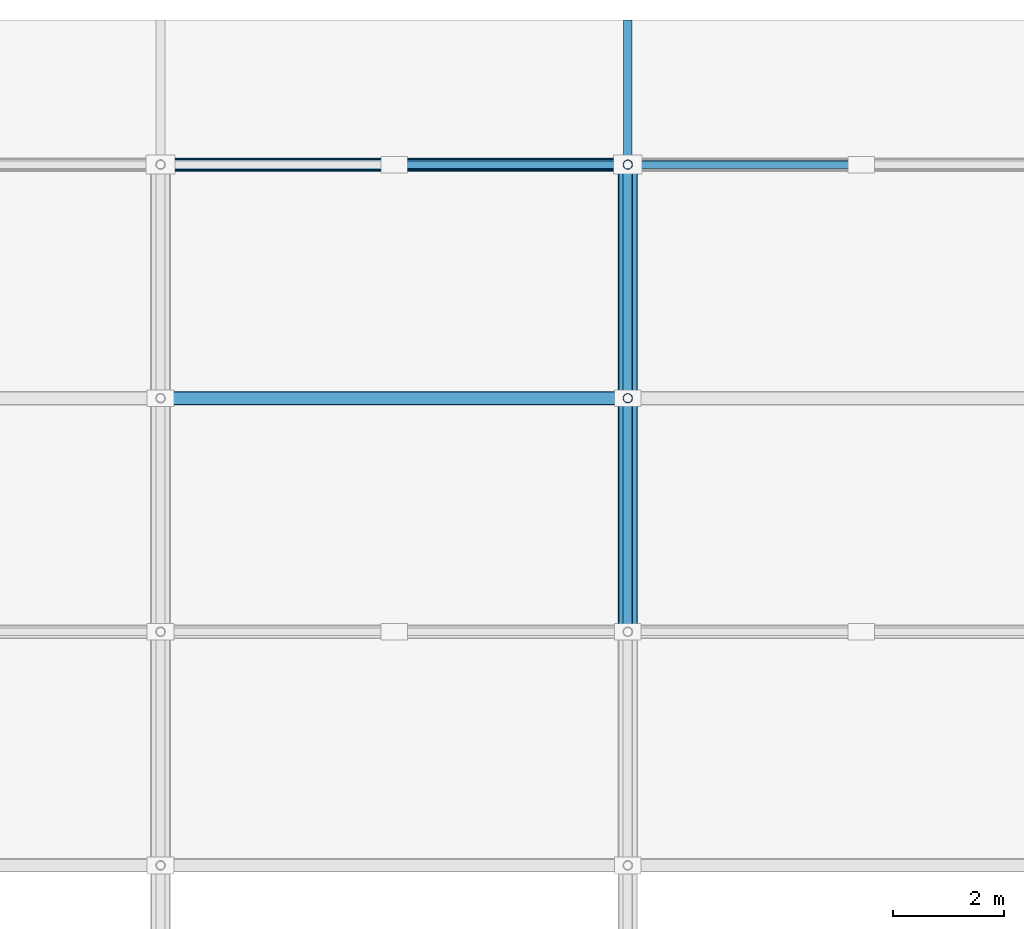
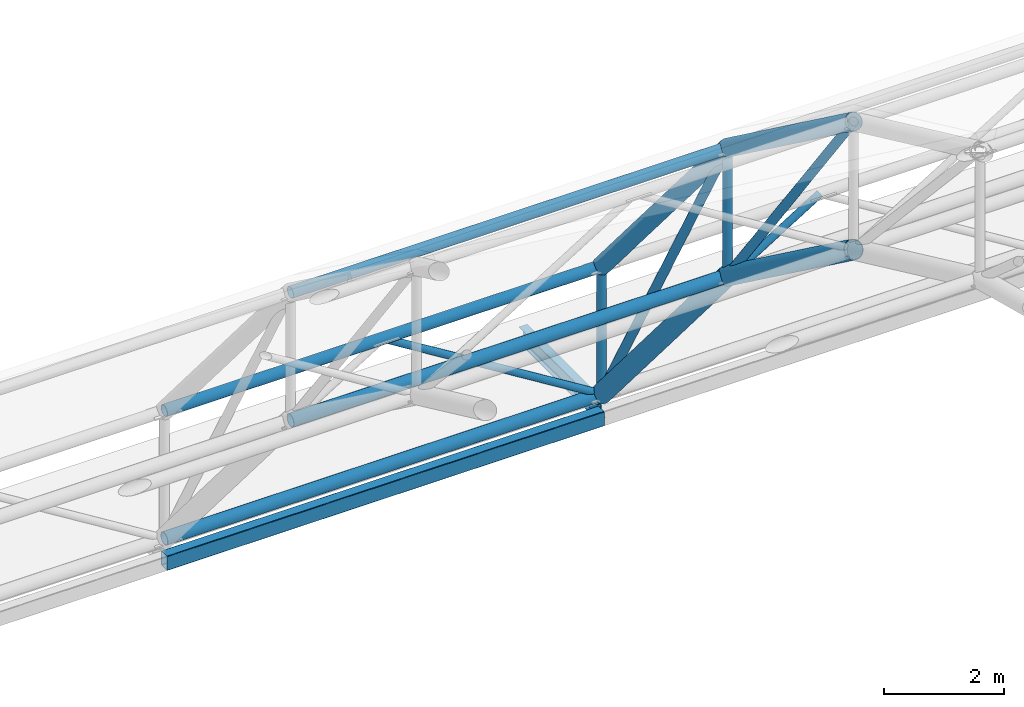
# One storey, part 43 of 103: 10 members, 6 beams.
"""IFC4 building model written with IfcOpenShell, lengths in metres."""

from ifc_helpers import new_model, si_unit, direction, frame, origin, origin_2d, place, context, subcontext, project, spatial, hollow_rectangle, hollow_circle, i_section, extrude, material, material_profile, profile_set, type_object, element, save


model = new_model("IFC4")

# Units and contexts
model_context = context("Model", 3, precision=1e-05, world=origin(), true_north=direction((0.0, 1.0)))
body_context = subcontext(model_context, "Body", "Model", "MODEL_VIEW")
ifc_project = project(units=[si_unit("LENGTHUNIT", "METRE"), si_unit("AREAUNIT", "SQUARE_METRE"), si_unit("VOLUMEUNIT", "CUBIC_METRE"), si_unit("PLANEANGLEUNIT", "RADIAN"), si_unit("MASSUNIT", "GRAM", prefix="KILO")], contexts=[model_context])

# Site, building, storey
site_placement = place(None, origin())
site = spatial("IfcSite", under=ifc_project, at=site_placement, CompositionType="ELEMENT")
building_placement = place(site_placement, origin())
building = spatial("IfcBuilding", under=site, at=building_placement, Name="Varnapada Polytechnic", CompositionType="ELEMENT")
storey_placement = place(building_placement, frame((0.0, 0.0, 18.0)))
storey = spatial("IfcBuildingStorey", under=building, at=storey_placement, Name="L04", CompositionType="ELEMENT", Elevation=18.0)

# Beam
ifc_material = material(Name="Steel S355", Category="steel")
ifc_material_profile_1 = material_profile(ifc_material, i_section(OverallWidth=0.159912109375, OverallDepth=0.330078125, WebThickness=0.007568359375, FlangeThickness=0.011474609375, FilletRadius=0.01806640625, at=origin_2d()), Name="IPE 330")
ifc_profile_set_1 = profile_set([ifc_material_profile_1], Name="Steel S355")
beam_type_1 = type_object("IfcBeamType", Name="Clerestory monitor steel rafter SB-07 (IPE 330)", PredefinedType="BEAM", material=ifc_profile_set_1)
beam_1_placement = place(storey_placement, frame((92.39990234375, 126.0, -0.35009765625), z_axis=(0.0, 1.0, 0.0), x_axis=(-1.0, 0.0, 0.0)))
element("IfcBeam", 1, at=beam_1_placement, inside=storey, type_object=beam_type_1, Name="Workshop eave shade outlooker N.6", PredefinedType="BEAM", context=body_context, shape_type="SweptSolid", body=[
    extrude(i_section(OverallWidth=0.159912109375, OverallDepth=0.330078125, WebThickness=0.007568359375, FlangeThickness=0.011474609375, FilletRadius=0.01806640625, at=origin_2d()), origin(), (0.0, 0.0, 1.0), 2.60009765625),
])

# Members
ifc_material_profile_2 = material_profile(ifc_material, hollow_circle(Radius=0.122314453125, WallThickness=0.008056640625, at=origin_2d()), Name="CHS 244.5x8.0")
ifc_profile_set_2 = profile_set([ifc_material_profile_2], Name="Steel S355")
member_type_1 = type_object("IfcMemberType", Name="Vaulted space frame longitudinal bottom chord SFC-01 (CHS 244.5x8.0)", PredefinedType="CHORD", material=ifc_profile_set_2)
for number, where, z_axis, x_axis, name in (
    (2, (84.0, 121.800048828125, 4.94921875), (1.0, 0.0, 0.0), (0.0, 1.0, 0.0), "Vaulted space frame longitudinal bottom chord 5.10"),
    (3, (84.0, 126.0, 0.0), (1.0, 0.0, 0.0), (0.0, 1.0, 0.0), "Vaulted space frame longitudinal bottom chord 5.11"),
):
    element("IfcMember", number, at=place(storey_placement, frame(where, z_axis=z_axis, x_axis=x_axis)), inside=storey, type_object=member_type_1, Name=name, PredefinedType="CHORD", context=body_context, shape_type="SweptSolid", body=[
        extrude(hollow_circle(Radius=0.122314453125, WallThickness=0.008056640625, at=origin_2d()), origin(), (0.0, 0.0, 1.0), 8.39990234375),
    ])
ifc_material_profile_3 = material_profile(ifc_material, hollow_circle(Radius=0.109619140625, WallThickness=0.008056640625, at=origin_2d()), Name="CHS 219.1x8.0")
ifc_profile_set_3 = profile_set([ifc_material_profile_3], Name="Steel S355")
member_type_2 = type_object("IfcMemberType", Name="Vaulted space frame longitudinal top chord SFC-02 (CHS 219.1x8.0)", PredefinedType="CHORD", material=ifc_profile_set_3)
for number, where, z_axis, x_axis, name in (
    (4, (84.0, 121.800048828125, 7.549072265625), (1.0, 0.0, 0.0), (0.0, 1.0, 0.0), "Vaulted space frame longitudinal top chord 5.10"),
    (5, (84.0, 126.0, 2.60009765625), (1.0, 0.0, 0.0), (0.0, 1.0, 0.0), "Vaulted space frame longitudinal top chord 5.11"),
):
    element("IfcMember", number, at=place(storey_placement, frame(where, z_axis=z_axis, x_axis=x_axis)), inside=storey, type_object=member_type_2, Name=name, PredefinedType="CHORD", context=body_context, shape_type="SweptSolid", body=[
        extrude(hollow_circle(Radius=0.109619140625, WallThickness=0.008056640625, at=origin_2d()), origin(), (0.0, 0.0, 1.0), 8.39990234375),
    ])

# Beams
ifc_material_profile_4 = material_profile(ifc_material, hollow_circle(Radius=0.177734375, WallThickness=0.012451171875, at=origin_2d()), Name="CHS 355.6x12.5")
ifc_profile_set_4 = profile_set([ifc_material_profile_4], Name="Steel S355")
beam_type_2 = type_object("IfcBeamType", Name="Vaulted space frame primary arch rib VA-01 (CHS 355.6x12.5)", PredefinedType="BEAM", material=ifc_profile_set_4)
beam_2_placement = place(storey_placement, frame((92.39990234375, 117.60009765625, 8.02783203125), z_axis=(0.0, 0.806528689778, -0.591194953095), x_axis=(-1.0, 0.0, 0.0)))
element("IfcBeam", 6, at=beam_2_placement, inside=storey, type_object=beam_type_2, Name="Vaulted space frame bottom arch chord 6.9", PredefinedType="BEAM", context=body_context, shape_type="SweptSolid", body=[
    extrude(hollow_circle(Radius=0.177734375, WallThickness=0.012451171875, at=origin_2d()), origin(), (0.0, 0.0, 1.0), 5.20751953125),
])
beam_3_placement = place(storey_placement, frame((92.39990234375, 121.800048828125, 4.94921875), z_axis=(0.0, 0.647032448214, -0.762462465279), x_axis=(-1.0, 0.0, 0.0)))
element("IfcBeam", 7, at=beam_3_placement, inside=storey, type_object=beam_type_2, Name="Vaulted space frame bottom arch chord 6.10", PredefinedType="BEAM", context=body_context, shape_type="SweptSolid", body=[
    extrude(hollow_circle(Radius=0.177734375, WallThickness=0.012451171875, at=origin_2d()), origin(), (0.0, 0.0, 1.0), 6.4912109375),
])

# Members
ifc_material_profile_5 = material_profile(ifc_material, hollow_circle(Radius=0.084228515625, WallThickness=0.00634765625, at=origin_2d()), Name="CHS 168.3x6.3")
ifc_profile_set_5 = profile_set([ifc_material_profile_5], Name="Steel S355")
member_type_3 = type_object("IfcMemberType", Name="Vaulted space frame primary web diagonal SFB-01 (CHS 168.3x6.3)", PredefinedType="BRACE", material=ifc_profile_set_5)
member_1_placement = place(storey_placement, frame((92.39990234375, 117.60009765625, 10.6279296875), z_axis=(0.0, 0.594633036041, -0.803997234105), x_axis=(-1.0, 0.0, 0.0)))
element("IfcMember", 8, at=member_1_placement, inside=storey, type_object=member_type_3, Name="Vaulted space frame web diagonal 6.9", PredefinedType="BRACE", context=body_context, shape_type="SweptSolid", body=[
    extrude(hollow_circle(Radius=0.084228515625, WallThickness=0.00634765625, at=origin_2d()), origin(), (0.0, 0.0, 1.0), 7.06298828125),
])
member_2_placement = place(storey_placement, frame((92.39990234375, 121.800048828125, 7.549072265625), z_axis=(0.0, 0.486175535898, -0.873861172209), x_axis=(-1.0, 0.0, 0.0)))
element("IfcMember", 9, at=member_2_placement, inside=storey, type_object=member_type_3, Name="Vaulted space frame web diagonal 6.10", PredefinedType="BRACE", context=body_context, shape_type="SweptSolid", body=[
    extrude(hollow_circle(Radius=0.084228515625, WallThickness=0.00634765625, at=origin_2d()), origin(), (0.0, 0.0, 1.0), 8.638671875),
])
ifc_material_profile_6 = material_profile(ifc_material, hollow_circle(Radius=0.084228515625, WallThickness=0.00634765625, at=origin_2d()), Name="CHS 168.3x6.3")
ifc_profile_set_6 = profile_set([ifc_material_profile_6], Name="Steel S355")
member_type_4 = type_object("IfcMemberType", Name="Vaulted space frame radial web strut SFS-01 (CHS 168.3x6.3)", PredefinedType="STRUT", material=ifc_profile_set_6)
member_3_placement = place(storey_placement, frame((92.39990234375, 121.800048828125, 4.94921875), z_axis=(0.0, 0.0, 1.0), x_axis=(1.0, 0.0, 0.0)))
element("IfcMember", 10, at=member_3_placement, inside=storey, type_object=member_type_4, Name="Vaulted space frame strut 6.10", PredefinedType="STRUT", context=body_context, shape_type="SweptSolid", body=[
    extrude(hollow_circle(Radius=0.084228515625, WallThickness=0.00634765625, at=origin_2d()), origin(), (0.0, 0.0, 1.0), 2.599853515625),
])
member_4_placement = place(storey_placement, frame((92.39990234375, 126.0, 0.0), z_axis=(0.0, 0.0, 1.0), x_axis=(1.0, 0.0, 0.0)))
element("IfcMember", 11, at=member_4_placement, inside=storey, type_object=member_type_4, Name="Vaulted space frame strut 6.11", PredefinedType="STRUT", context=body_context, shape_type="SweptSolid", body=[
    extrude(hollow_circle(Radius=0.084228515625, WallThickness=0.00634765625, at=origin_2d()), origin(), (0.0, 0.0, 1.0), 2.60009765625),
])
ifc_material_profile_7 = material_profile(ifc_material, hollow_circle(Radius=0.06982421875, WallThickness=0.0048828125, at=origin_2d()), Name="CHS 139.7x5.0")
ifc_profile_set_7 = profile_set([ifc_material_profile_7], Name="Steel S355")
member_type_5 = type_object("IfcMemberType", Name="Vaulted space frame secondary web diagonal SFB-02 (CHS 139.7x5.0)", PredefinedType="BRACE", material=ifc_profile_set_7)
member_5_placement = place(storey_placement, frame((92.39990234375, 126.0, 0.0), z_axis=(-0.85025356003, 0.0, 0.526373331065), x_axis=(0.0, -1.0, 0.0)))
element("IfcMember", 12, at=member_5_placement, inside=storey, type_object=member_type_5, Name="Vaulted space frame longitudinal brace 5.11B", PredefinedType="BRACE", context=body_context, shape_type="SweptSolid", body=[
    extrude(hollow_circle(Radius=0.06982421875, WallThickness=0.0048828125, at=origin_2d()), origin(), (0.0, 0.0, 1.0), 4.939697265625),
])
member_6_placement = place(storey_placement, frame((92.39990234375, 126.0, 0.0), z_axis=(0.85026725322, 0.0, 0.526351211741), x_axis=(0.0, 1.0, 0.0)))
element("IfcMember", 13, at=member_6_placement, inside=storey, type_object=member_type_5, Name="Vaulted space frame longitudinal brace 6.11A", PredefinedType="BRACE", context=body_context, shape_type="SweptSolid", body=[
    extrude(hollow_circle(Radius=0.06982421875, WallThickness=0.0048828125, at=origin_2d()), origin(), (0.0, 0.0, 1.0), 4.93994140625),
])

# Beams
ifc_material_profile_8 = material_profile(ifc_material, hollow_circle(Radius=0.161865234375, WallThickness=0.010009765625, at=origin_2d()), Name="CHS 323.9x10.0")
ifc_profile_set_8 = profile_set([ifc_material_profile_8], Name="Steel S355")
beam_type_3 = type_object("IfcBeamType", Name="Vaulted space frame upper arch rib VA-02 (CHS 323.9x10.0)", PredefinedType="BEAM", material=ifc_profile_set_8)
beam_4_placement = place(storey_placement, frame((92.39990234375, 117.60009765625, 10.6279296875), z_axis=(0.0, 0.806506335259, -0.591225448698), x_axis=(-1.0, 0.0, 0.0)))
element("IfcBeam", 14, at=beam_4_placement, inside=storey, type_object=beam_type_3, Name="Vaulted space frame top arch chord 6.9", PredefinedType="BEAM", context=body_context, shape_type="SweptSolid", body=[
    extrude(hollow_circle(Radius=0.161865234375, WallThickness=0.010009765625, at=origin_2d()), origin(), (0.0, 0.0, 1.0), 5.20751953125),
])
beam_5_placement = place(storey_placement, frame((92.39990234375, 121.800048828125, 7.549072265625), z_axis=(0.0, 0.647051003787, -0.762446718465), x_axis=(-1.0, 0.0, 0.0)))
element("IfcBeam", 15, at=beam_5_placement, inside=storey, type_object=beam_type_3, Name="Vaulted space frame top arch chord 6.10", PredefinedType="BEAM", context=body_context, shape_type="SweptSolid", body=[
    extrude(hollow_circle(Radius=0.161865234375, WallThickness=0.010009765625, at=origin_2d()), origin(), (0.0, 0.0, 1.0), 6.490966796875),
])
ifc_material_profile_9 = material_profile(ifc_material, hollow_rectangle(XDim=0.199951171875, YDim=0.300048828125, WallThickness=0.010009765625, InnerFilletRadius=0.010009765625, OuterFilletRadius=0.02001953125, at=origin_2d()), Name="RHS 300x200x10")
ifc_profile_set_9 = profile_set([ifc_material_profile_9], Name="Steel S355")
beam_type_4 = type_object("IfcBeamType", Name="Workshop steel spandrel tie SP-03 (RHS 300x200x10)", PredefinedType="SPANDREL", material=ifc_profile_set_9)
beam_6_placement = place(storey_placement, frame((84.0, 126.0, -0.449951171875), z_axis=(1.0, 0.0, 0.0), x_axis=(0.0, 1.0, 0.0)))
element("IfcBeam", 16, at=beam_6_placement, inside=storey, type_object=beam_type_4, Name="L04 workshop clerestory tie X11-12 Y16", PredefinedType="SPANDREL", context=body_context, shape_type="SweptSolid", body=[
    extrude(hollow_rectangle(XDim=0.199951171875, YDim=0.300048828125, WallThickness=0.010009765625, InnerFilletRadius=0.010009765625, OuterFilletRadius=0.02001953125, at=origin_2d()), origin(), (0.0, 0.0, 1.0), 8.39990234375),
])

save(model, "model.ifc")
